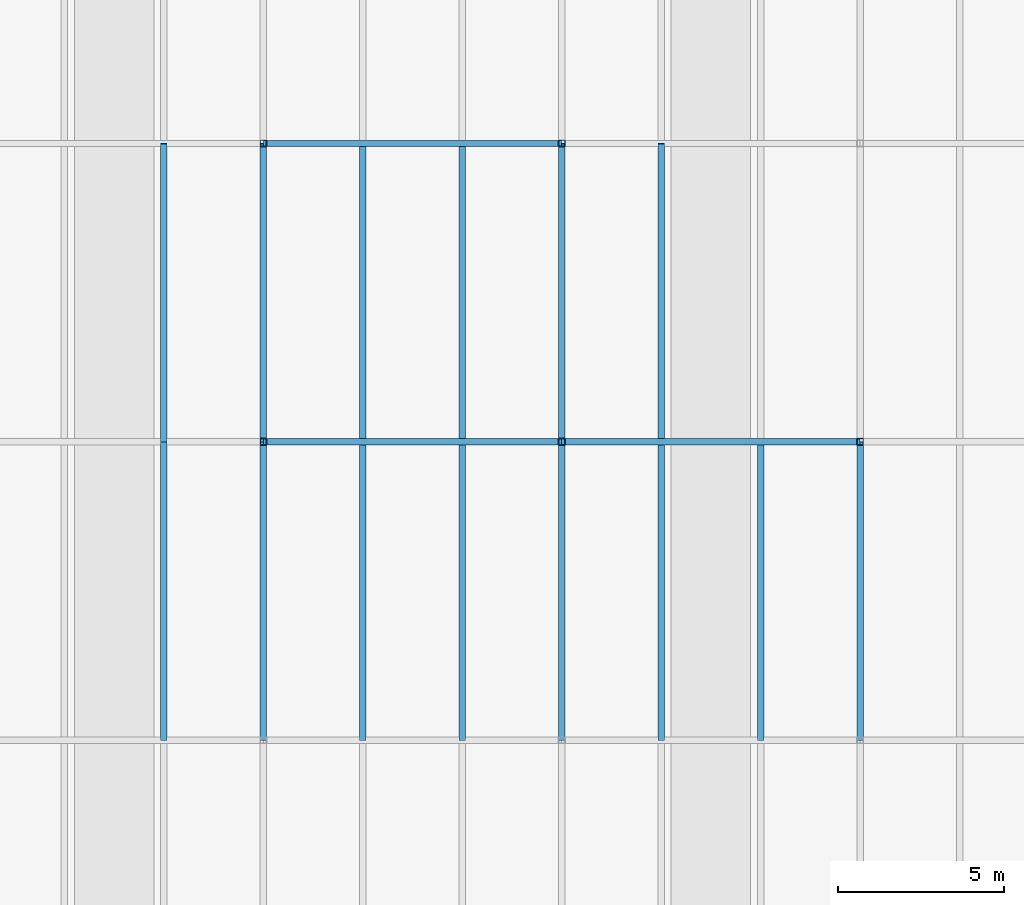
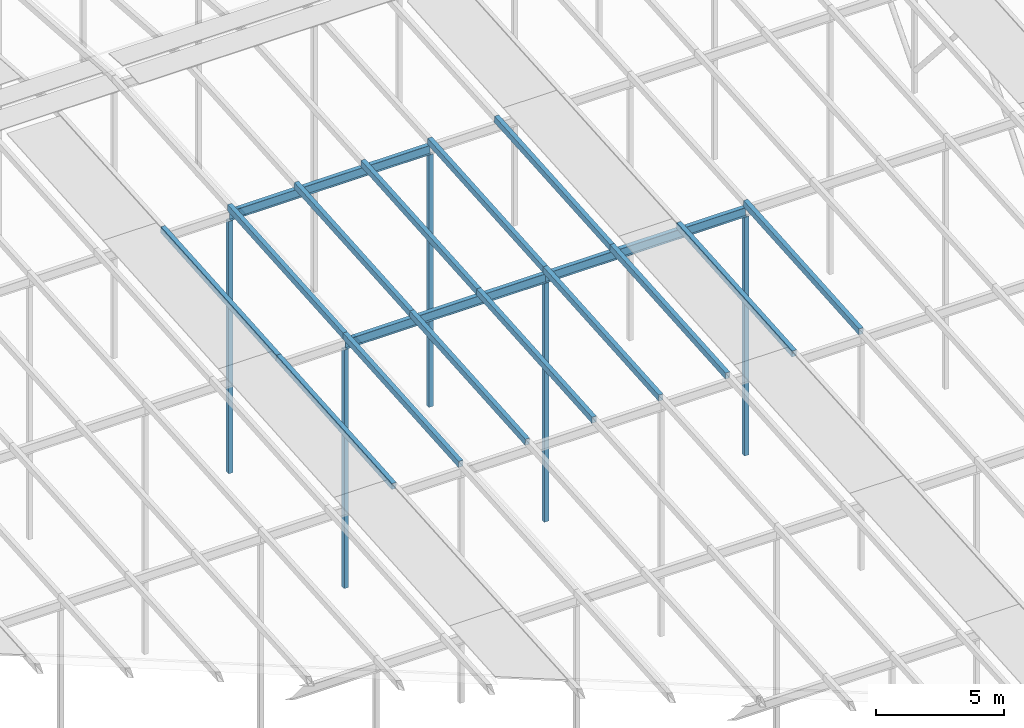
# One storey, part 23 of 84: 19 members, 3 beams.
"""IFC4 building model written with IfcOpenShell, lengths in metres."""

from ifc_helpers import new_model, si_unit, direction, frame, origin, origin_2d, place, context, subcontext, project, spatial, hollow_rectangle, i_section, extrude, material, material_profile, profile_set, type_object, element, save


model = new_model("IFC4")

# Units and contexts
model_context = context("Model", 3, precision=1e-05, world=origin(), true_north=direction((0.0, 1.0)))
body_context = subcontext(model_context, "Body", "Model", "MODEL_VIEW")
ifc_project = project(units=[si_unit("LENGTHUNIT", "METRE"), si_unit("AREAUNIT", "SQUARE_METRE"), si_unit("VOLUMEUNIT", "CUBIC_METRE"), si_unit("PLANEANGLEUNIT", "RADIAN"), si_unit("MASSUNIT", "GRAM", prefix="KILO")], contexts=[model_context])

# Site, building, storey
site_placement = place(None, origin())
site = spatial("IfcSite", under=ifc_project, at=site_placement, CompositionType="ELEMENT")
building_placement = place(site_placement, origin())
building = spatial("IfcBuilding", under=site, at=building_placement, Name="Silverbay Arena", CompositionType="ELEMENT")
storey_placement = place(building_placement, frame((0.0, 0.0, 47.10009765625)))
storey = spatial("IfcBuildingStorey", under=building, at=storey_placement, Name="ROOF", CompositionType="ELEMENT", Elevation=47.10009765625)

# Members
ifc_material_1 = material(Name="Steel S355", Category="steel")
ifc_material_profile_1 = material_profile(ifc_material_1, hollow_rectangle(XDim=0.199951171875, YDim=0.300048828125, WallThickness=0.00634765625, at=origin_2d()), Name="RHS 300x200x6.3")
ifc_profile_set_1 = profile_set([ifc_material_profile_1], Name="Steel S355")
member_type_1 = type_object("IfcMemberType", Name="Purlin RHS 300x200x6.3", PredefinedType="PURLIN", material=ifc_profile_set_1)
for number, where, z_axis, x_axis, name in (
    (1, (132.0, 54.0, 10.699462890625), (0.0, 0.997400967367, 0.07205074805), (-1.0, 0.0, 0.0), "ROOF PURLIN crown line 18 bay 04"),
    (2, (132.0, 63.0, 11.349609375), (0.0, 0.997402911363, 0.072023832195), (-1.0, 0.0, 0.0), "ROOF PURLIN crown line 18 bay 05"),
    (3, (135.0, 54.0, 10.699462890625), (0.0, 0.997400967367, 0.07205074805), (-1.0, 0.0, 0.0), "ROOF PURLIN crown line 19 bay 04"),
    (4, (135.0, 63.0, 11.349609375), (0.0, 0.997402911363, 0.072023832195), (-1.0, 0.0, 0.0), "ROOF PURLIN crown line 19 bay 05"),
    (5, (138.0, 54.0, 10.699462890625), (0.0, 0.997400967367, 0.07205074805), (-1.0, 0.0, 0.0), "ROOF PURLIN crown line 20 bay 04"),
    (6, (138.0, 63.0, 11.349609375), (0.0, 0.997402911363, 0.072023832195), (-1.0, 0.0, 0.0), "ROOF PURLIN crown line 20 bay 05"),
    (7, (141.0, 54.0, 10.699462890625), (0.0, 0.997400967367, 0.07205074805), (-1.0, 0.0, 0.0), "ROOF PURLIN crown line 21 bay 04"),
    (8, (141.0, 63.0, 11.349609375), (0.0, 0.997402911363, 0.072023832195), (-1.0, 0.0, 0.0), "ROOF PURLIN crown line 21 bay 05"),
    (9, (144.0, 54.0, 10.699462890625), (0.0, 0.997400967367, 0.07205074805), (-1.0, 0.0, 0.0), "ROOF PURLIN crown line 22 bay 04"),
    (10, (144.0, 63.0, 11.349609375), (0.0, 0.997402911363, 0.072023832195), (-1.0, 0.0, 0.0), "ROOF PURLIN crown line 22 bay 05"),
    (11, (147.0, 54.0, 10.699462890625), (0.0, 0.997400967367, 0.07205074805), (-1.0, 0.0, 0.0), "ROOF PURLIN crown line 23 bay 04"),
    (12, (147.0, 63.0, 11.349609375), (0.0, 0.997402911363, 0.072023832195), (-1.0, 0.0, 0.0), "ROOF PURLIN crown line 23 bay 05"),
    (13, (150.0, 54.0, 10.699462890625), (0.0, 0.997400967367, 0.07205074805), (-1.0, 0.0, 0.0), "ROOF PURLIN crown line 24 bay 04"),
    (14, (153.0, 54.0, 10.699462890625), (0.0, 0.997400967367, 0.07205074805), (-1.0, 0.0, 0.0), "ROOF PURLIN crown line 25 bay 04"),
):
    element("IfcMember", number, at=place(storey_placement, frame(where, z_axis=z_axis, x_axis=x_axis)), inside=storey, type_object=member_type_1, Name=name, PredefinedType="PURLIN", context=body_context, shape_type="SweptSolid", body=[
        extrude(hollow_rectangle(XDim=0.199951171875, YDim=0.300048828125, WallThickness=0.00634765625, at=origin_2d()), origin(), (0.0, 0.0, 1.0), 9.0234375),
    ])

# Beams
ifc_material_2 = material(Name="Steel S355", Category="steel")
ifc_material_profile_2 = material_profile(ifc_material_2, i_section(OverallWidth=0.18994140625, OverallDepth=0.453369140625, WebThickness=0.008544921875, FlangeThickness=0.0126953125, at=origin_2d()), Name="UB 457x191x67")
ifc_profile_set_2 = profile_set([ifc_material_profile_2], Name="Steel S355")
beam_type = type_object("IfcBeamType", Name="Ring beam UB 457x191x67", PredefinedType="BEAM", material=ifc_profile_set_2)
for number, where, z_axis, x_axis, name in (
    (15, (135.0, 63.0, 10.972412109375), (1.0, 0.0, 0.0), (0.0, 1.0, 0.0), "RING BEAM crown row 05 16-17"),
    (16, (144.0, 63.0, 10.972412109375), (1.0, 0.0, 0.0), (0.0, 1.0, 0.0), "RING BEAM crown row 05 17-18"),
    (17, (135.0, 72.0, 11.622314453125), (1.0, 0.0, 0.0), (0.0, 1.0, 0.0), "RING BEAM crown row 06 16-17"),
):
    element("IfcBeam", number, at=place(storey_placement, frame(where, z_axis=z_axis, x_axis=x_axis)), inside=storey, type_object=beam_type, Name=name, PredefinedType="BEAM", context=body_context, shape_type="SweptSolid", body=[
        extrude(i_section(OverallWidth=0.18994140625, OverallDepth=0.453369140625, WebThickness=0.008544921875, FlangeThickness=0.0126953125, at=origin_2d()), origin(), (0.0, 0.0, 1.0), 9.0),
    ])

# Members
ifc_material_3 = material(Name="Steel S355", Category="steel")
ifc_material_profile_3 = material_profile(ifc_material_3, hollow_rectangle(XDim=0.199951171875, YDim=0.199951171875, WallThickness=0.008056640625, at=origin_2d()), Name="SHS 200x200x8")
ifc_profile_set_3 = profile_set([ifc_material_profile_3], Name="Steel S355")
member_type_2 = type_object("IfcMemberType", Name="Roof post SHS 200x200x8", PredefinedType="POST", material=ifc_profile_set_3)
member_1_placement = place(storey_placement, frame((135.0, 63.0, -0.60009765625), z_axis=(0.0, 0.0, 1.0), x_axis=(1.0, 0.0, 0.0)))
element("IfcMember", 18, at=member_1_placement, inside=storey, type_object=member_type_2, Name="ROOF CROWN POST 16 row 05", PredefinedType="POST", context=body_context, shape_type="SweptSolid", body=[
    extrude(hollow_rectangle(XDim=0.199951171875, YDim=0.199951171875, WallThickness=0.008056640625, at=origin_2d()), origin(), (0.0, 0.0, 1.0), 11.345703125),
])
member_2_placement = place(storey_placement, frame((135.0, 72.0, -0.60009765625), z_axis=(0.0, 0.0, 1.0), x_axis=(1.0, 0.0, 0.0)))
element("IfcMember", 19, at=member_2_placement, inside=storey, type_object=member_type_2, Name="ROOF CROWN POST 16 row 06", PredefinedType="POST", context=body_context, shape_type="SweptSolid", body=[
    extrude(hollow_rectangle(XDim=0.199951171875, YDim=0.199951171875, WallThickness=0.008056640625, at=origin_2d()), origin(), (0.0, 0.0, 1.0), 11.995849609375),
])
member_3_placement = place(storey_placement, frame((144.0, 63.0, -0.60009765625), z_axis=(0.0, 0.0, 1.0), x_axis=(1.0, 0.0, 0.0)))
element("IfcMember", 20, at=member_3_placement, inside=storey, type_object=member_type_2, Name="ROOF CROWN POST 17 row 05", PredefinedType="POST", context=body_context, shape_type="SweptSolid", body=[
    extrude(hollow_rectangle(XDim=0.199951171875, YDim=0.199951171875, WallThickness=0.008056640625, at=origin_2d()), origin(), (0.0, 0.0, 1.0), 11.345703125),
])
member_4_placement = place(storey_placement, frame((144.0, 72.0, -0.60009765625), z_axis=(0.0, 0.0, 1.0), x_axis=(1.0, 0.0, 0.0)))
element("IfcMember", 21, at=member_4_placement, inside=storey, type_object=member_type_2, Name="ROOF CROWN POST 17 row 06", PredefinedType="POST", context=body_context, shape_type="SweptSolid", body=[
    extrude(hollow_rectangle(XDim=0.199951171875, YDim=0.199951171875, WallThickness=0.008056640625, at=origin_2d()), origin(), (0.0, 0.0, 1.0), 11.995849609375),
])
member_5_placement = place(storey_placement, frame((153.0, 63.0, -0.60009765625), z_axis=(0.0, 0.0, 1.0), x_axis=(1.0, 0.0, 0.0)))
element("IfcMember", 22, at=member_5_placement, inside=storey, type_object=member_type_2, Name="ROOF CROWN POST 18 row 05", PredefinedType="POST", context=body_context, shape_type="SweptSolid", body=[
    extrude(hollow_rectangle(XDim=0.199951171875, YDim=0.199951171875, WallThickness=0.008056640625, at=origin_2d()), origin(), (0.0, 0.0, 1.0), 11.345703125),
])

save(model, "model.ifc")
